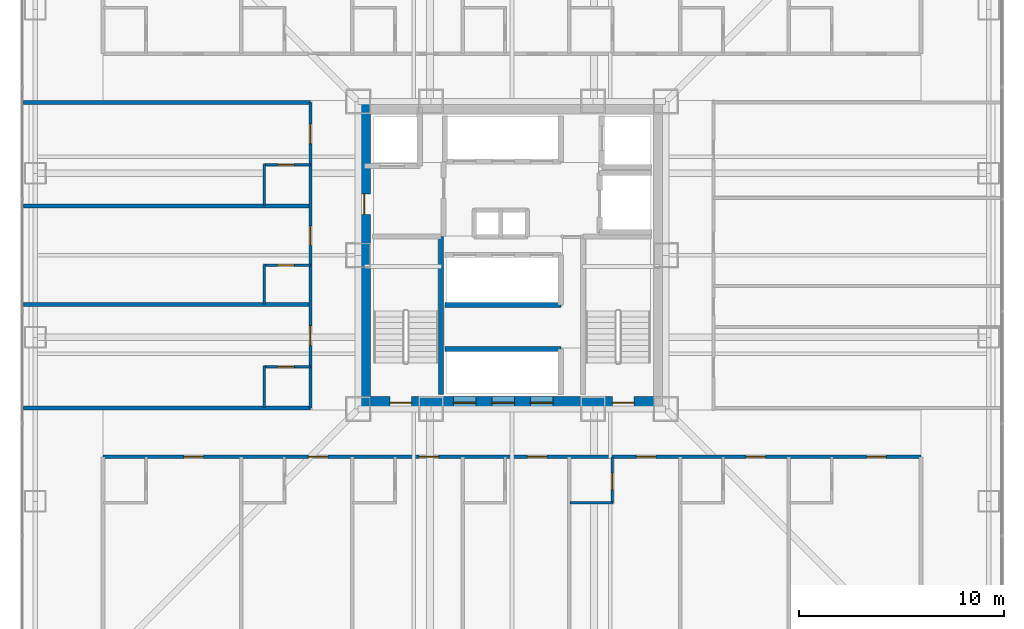
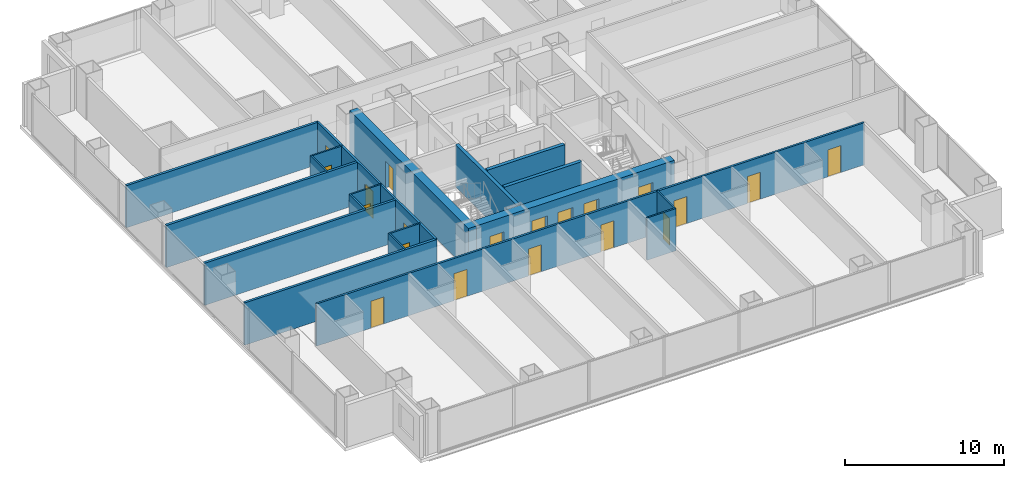
# One storey, part 11 of 17: 20 doors, 19 walls, 20 openings.
"""IFC4 building model written with IfcOpenShell, lengths in metres."""

from ifc_helpers import new_model, si_unit, direction, frame, frame_2d, origin, place, context, subcontext, project, spatial, rectangle, extrude, material, layer, layer_set, type_object, element, fill, save


model = new_model("IFC4")

# Units and contexts
model_context = context("Model", 3, precision=1e-05, world=origin(), true_north=direction((0.0, 1.0)))
body_context = subcontext(model_context, "Body", "Model", "MODEL_VIEW")
ifc_project = project(units=[si_unit("LENGTHUNIT", "METRE"), si_unit("AREAUNIT", "SQUARE_METRE"), si_unit("VOLUMEUNIT", "CUBIC_METRE"), si_unit("PLANEANGLEUNIT", "RADIAN"), si_unit("MASSUNIT", "GRAM", prefix="KILO")], contexts=[model_context])

# Site, building, storey
site_placement = place(None, origin())
site = spatial("IfcSite", under=ifc_project, at=site_placement, CompositionType="ELEMENT")
building_placement = place(site_placement, origin())
building = spatial("IfcBuilding", under=site, at=building_placement, Name="Trevonay Congress Spire", CompositionType="ELEMENT")
storey_placement = place(building_placement, frame((0.0, 0.0, 30.5)))
storey = spatial("IfcBuildingStorey", under=building, at=storey_placement, Name="L06", CompositionType="ELEMENT", Elevation=30.5)

# Wall, opening, door
ifc_material_1 = material(Name="Concrete C40/50", Category="concrete")
ifc_layer_1 = layer(ifc_material_1, 0.1201171875, Name="Concrete C40/50")
ifc_layer_set_1 = layer_set([ifc_layer_1], Name="Concrete C40/50")
wall_type_1 = type_object("IfcWallType", Name="WAL-BATH-120", PredefinedType="PLUMBINGWALL", material=ifc_layer_set_1)
wall_1_placement = place(storey_placement, frame((4.89990234375, -12.080078125, 0.0), z_axis=(0.0, 0.0, 1.0), x_axis=(0.0, 1.0, 0.0)))
wall_1 = element("IfcWall", 1, at=wall_1_placement, inside=storey, type_object=wall_type_1, Name="L06 interior wall WH-L06S-BS5", PredefinedType="PLUMBINGWALL", context=body_context, shape_type="SweptSolid", body=[
    extrude(rectangle(XDim=2.25, YDim=0.1201171875, at=frame_2d((1.125, 0.0))), origin(), (0.0, 0.0, 1.0), 3.25),
])
opening_1_placement = place(wall_1_placement, frame((0.64990234375, 0.0, 0.0)))
opening_1 = element("IfcOpeningElement", 2, at=opening_1_placement, cuts=wall_1, Name="Opening D11", PredefinedType="OPENING", context=body_context, shape_type="SweptSolid", body=[
    extrude(rectangle(XDim=0.800048828125, YDim=2.050048828125, at=frame_2d((0.39990234375, 1.02490234375))), frame((0.0, 0.070068359375, 0.0), z_axis=(0.0, -1.0, 0.0), x_axis=(1.0, 0.0, 0.0)), (0.0, 0.0, 1.0), 0.14013671875),
])
ifc_material_2 = material(Name="Pale Anodised Aluminium EN AW-6063-T6", Category="aluminium")
door_type_1 = type_object("IfcDoorType", Name="DOR-BATH-80", OperationType="NOTDEFINED", PredefinedType="DOOR", material=ifc_material_2)
door_1_placement = place(opening_1_placement, origin())
door_1 = element("IfcDoor", 3, at=door_1_placement, inside=storey, type_object=door_type_1, Name="L06 En-suite Bathroom Door", OperationType="SINGLE_SWING_LEFT", OverallHeight=2.050048828125, OverallWidth=0.800048828125, PredefinedType="DOOR", context=body_context, shape_type="SweptSolid", body=[
    extrude(rectangle(XDim=0.800048828125, YDim=2.050048828125, at=frame_2d((0.39990234375, 1.02490234375))), frame((0.0, 0.02490234375, 0.0), z_axis=(0.0, -1.0, 0.0), x_axis=(1.0, 0.0, 0.0)), (0.0, 0.0, 1.0), 0.050048828125),
])
fill(opening_1, door_1)

# Wall
wall_2_placement = place(storey_placement, frame((2.830078125, -12.080078125, 0.0), z_axis=(0.0, 0.0, 1.0), x_axis=(1.0, 0.0, 0.0)))
element("IfcWall", 4, at=wall_2_placement, inside=storey, type_object=wall_type_1, Name="L06 interior wall WH-L06S-BF5", PredefinedType="PLUMBINGWALL", context=body_context, shape_type="SweptSolid", body=[
    extrude(rectangle(XDim=2.099853515625, YDim=0.1201171875, at=frame_2d((1.0498046875, 0.0))), origin(), (0.0, 0.0, 1.0), 3.25),
])

# Wall, opening, door
wall_3_placement = place(storey_placement, frame((-12.080078125, -5.44189453125, 0.0), z_axis=(0.0, 0.0, 1.0), x_axis=(1.0, 0.0, 0.0)))
wall_3 = element("IfcWall", 5, at=wall_3_placement, inside=storey, type_object=wall_type_1, Name="L06 interior wall WH-L06W-BS1", PredefinedType="PLUMBINGWALL", context=body_context, shape_type="SweptSolid", body=[
    extrude(rectangle(XDim=2.25, YDim=0.1201171875, at=frame_2d((1.125, 0.0))), origin(), (0.0, 0.0, 1.0), 3.25),
])
opening_2_placement = place(wall_3_placement, frame((0.64990234375, 0.0, 0.0)))
opening_2 = element("IfcOpeningElement", 6, at=opening_2_placement, cuts=wall_3, Name="Opening D11", PredefinedType="OPENING", context=body_context, shape_type="SweptSolid", body=[
    extrude(rectangle(XDim=0.800048828125, YDim=2.050048828125, at=frame_2d((0.39990234375, 1.02490234375))), frame((0.0, 0.070068359375, 0.0), z_axis=(0.0, -1.0, 0.0), x_axis=(1.0, 0.0, 0.0)), (0.0, 0.0, 1.0), 0.14013671875),
])
door_2_placement = place(opening_2_placement, origin())
door_2 = element("IfcDoor", 7, at=door_2_placement, inside=storey, type_object=door_type_1, Name="L06 En-suite Bathroom Door", OperationType="SINGLE_SWING_LEFT", OverallHeight=2.050048828125, OverallWidth=0.800048828125, PredefinedType="DOOR", context=body_context, shape_type="SweptSolid", body=[
    extrude(rectangle(XDim=0.800048828125, YDim=2.050048828125, at=frame_2d((0.39990234375, 1.02490234375))), frame((0.0, 0.02490234375, 0.0), z_axis=(0.0, -1.0, 0.0), x_axis=(1.0, 0.0, 0.0)), (0.0, 0.0, 1.0), 0.050048828125),
])
fill(opening_2, door_2)

# Wall
wall_4_placement = place(storey_placement, frame((-12.080078125, -7.419921875, 0.0), z_axis=(0.0, 0.0, 1.0), x_axis=(0.0, 1.0, 0.0)))
element("IfcWall", 8, at=wall_4_placement, inside=storey, type_object=wall_type_1, Name="L06 interior wall WH-L06W-BF1", PredefinedType="PLUMBINGWALL", context=body_context, shape_type="SweptSolid", body=[
    extrude(rectangle(XDim=2.0078125, YDim=0.1201171875, at=frame_2d((1.00390625, 0.0))), origin(), (0.0, 0.0, 1.0), 3.25),
])

# Wall, opening, door
wall_5_placement = place(storey_placement, frame((-12.080078125, -0.487060546875, 0.0), z_axis=(0.0, 0.0, 1.0), x_axis=(1.0, 0.0, 0.0)))
wall_5 = element("IfcWall", 9, at=wall_5_placement, inside=storey, type_object=wall_type_1, Name="L06 interior wall WH-L06W-BS2", PredefinedType="PLUMBINGWALL", context=body_context, shape_type="SweptSolid", body=[
    extrude(rectangle(XDim=2.25, YDim=0.1201171875, at=frame_2d((1.125, 0.0))), origin(), (0.0, 0.0, 1.0), 3.25),
])
opening_3_placement = place(wall_5_placement, frame((0.64990234375, 0.0, 0.0)))
opening_3 = element("IfcOpeningElement", 10, at=opening_3_placement, cuts=wall_5, Name="Opening D11", PredefinedType="OPENING", context=body_context, shape_type="SweptSolid", body=[
    extrude(rectangle(XDim=0.800048828125, YDim=2.050048828125, at=frame_2d((0.39990234375, 1.02490234375))), frame((0.0, 0.070068359375, 0.0), z_axis=(0.0, -1.0, 0.0), x_axis=(1.0, 0.0, 0.0)), (0.0, 0.0, 1.0), 0.14013671875),
])
door_3_placement = place(opening_3_placement, origin())
door_3 = element("IfcDoor", 11, at=door_3_placement, inside=storey, type_object=door_type_1, Name="L06 En-suite Bathroom Door", OperationType="SINGLE_SWING_RIGHT", OverallHeight=2.050048828125, OverallWidth=0.800048828125, PredefinedType="DOOR", context=body_context, shape_type="SweptSolid", body=[
    extrude(rectangle(XDim=0.800048828125, YDim=2.050048828125, at=frame_2d((0.39990234375, 1.02490234375))), frame((0.0, 0.02490234375, 0.0), z_axis=(0.0, -1.0, 0.0), x_axis=(1.0, 0.0, 0.0)), (0.0, 0.0, 1.0), 0.050048828125),
])
fill(opening_3, door_3)

# Wall
wall_6_placement = place(storey_placement, frame((-12.080078125, -2.3701171875, 0.0), z_axis=(0.0, 0.0, 1.0), x_axis=(0.0, 1.0, 0.0)))
element("IfcWall", 12, at=wall_6_placement, inside=storey, type_object=wall_type_1, Name="L06 interior wall WH-L06W-BF2", PredefinedType="PLUMBINGWALL", context=body_context, shape_type="SweptSolid", body=[
    extrude(rectangle(XDim=1.9130859375, YDim=0.1201171875, at=frame_2d((0.95654296875, 0.0))), origin(), (0.0, 0.0, 1.0), 3.25),
])

# Wall, opening, door
wall_7_placement = place(storey_placement, frame((-12.080078125, 4.407958984375, 0.0), z_axis=(0.0, 0.0, 1.0), x_axis=(1.0, 0.0, 0.0)))
wall_7 = element("IfcWall", 13, at=wall_7_placement, inside=storey, type_object=wall_type_1, Name="L06 interior wall WH-L06W-BS3", PredefinedType="PLUMBINGWALL", context=body_context, shape_type="SweptSolid", body=[
    extrude(rectangle(XDim=2.25, YDim=0.1201171875, at=frame_2d((1.125, 0.0))), origin(), (0.0, 0.0, 1.0), 3.25),
])
opening_4_placement = place(wall_7_placement, frame((0.64990234375, 0.0, 0.0)))
opening_4 = element("IfcOpeningElement", 14, at=opening_4_placement, cuts=wall_7, Name="Opening D11", PredefinedType="OPENING", context=body_context, shape_type="SweptSolid", body=[
    extrude(rectangle(XDim=0.800048828125, YDim=2.050048828125, at=frame_2d((0.39990234375, 1.02490234375))), frame((0.0, 0.070068359375, 0.0), z_axis=(0.0, -1.0, 0.0), x_axis=(1.0, 0.0, 0.0)), (0.0, 0.0, 1.0), 0.14013671875),
])
door_4_placement = place(opening_4_placement, origin())
door_4 = element("IfcDoor", 15, at=door_4_placement, inside=storey, type_object=door_type_1, Name="L06 En-suite Bathroom Door", OperationType="SINGLE_SWING_LEFT", OverallHeight=2.050048828125, OverallWidth=0.800048828125, PredefinedType="DOOR", context=body_context, shape_type="SweptSolid", body=[
    extrude(rectangle(XDim=0.800048828125, YDim=2.050048828125, at=frame_2d((0.39990234375, 1.02490234375))), frame((0.0, 0.02490234375, 0.0), z_axis=(0.0, -1.0, 0.0), x_axis=(1.0, 0.0, 0.0)), (0.0, 0.0, 1.0), 0.050048828125),
])
fill(opening_4, door_4)

# Wall
wall_8_placement = place(storey_placement, frame((-12.080078125, 2.429931640625, 0.0), z_axis=(0.0, 0.0, 1.0), x_axis=(0.0, 1.0, 0.0)))
element("IfcWall", 16, at=wall_8_placement, inside=storey, type_object=wall_type_1, Name="L06 interior wall WH-L06W-BF3", PredefinedType="PLUMBINGWALL", context=body_context, shape_type="SweptSolid", body=[
    extrude(rectangle(XDim=2.008056640625, YDim=0.1201171875, at=frame_2d((1.00390625, 0.0))), origin(), (0.0, 0.0, 1.0), 3.25),
])

# Wall, openings, doors
ifc_material_3 = material(Name="Concrete C60/75", Category="concrete")
ifc_layer_2 = layer(ifc_material_3, 0.60009765625, Name="Concrete C60/75")
ifc_layer_set_2 = layer_set([ifc_layer_2], Name="Concrete C60/75")
wall_type_2 = type_object("IfcWallType", Name="WAL-CORE-600", PredefinedType="SHEAR", material=ifc_layer_set_2)
wall_9_placement = place(storey_placement, frame((-7.5, -7.199951171875, 0.0), z_axis=(0.0, 0.0, 1.0), x_axis=(1.0, 0.0, 0.0)))
wall_9 = element("IfcWall", 17, at=wall_9_placement, inside=storey, type_object=wall_type_2, Name="L06 South structural core shear wall", PredefinedType="SHEAR", context=body_context, shape_type="SweptSolid", body=[
    extrude(rectangle(XDim=15.0, YDim=0.60009765625, at=frame_2d((7.5, 0.0))), origin(), (0.0, 0.0, 1.0), 3.25),
])
opening_5_placement = place(wall_9_placement, frame((1.550048828125, 0.0, 0.0)))
opening_5 = element("IfcOpeningElement", 18, at=opening_5_placement, cuts=wall_9, Name="Opening D05", PredefinedType="OPENING", context=body_context, shape_type="SweptSolid", body=[
    extrude(rectangle(XDim=1.050048828125, YDim=2.080078125, at=frame_2d((0.52490234375, 1.0400390625))), frame((0.0, 0.31005859375, 0.0), z_axis=(0.0, -1.0, 0.0), x_axis=(1.0, 0.0, 0.0)), (0.0, 0.0, 1.0), 0.6201171875),
])
opening_6_placement = place(wall_9_placement, frame((12.39990234375, 0.0, 0.0)))
opening_6 = element("IfcOpeningElement", 19, at=opening_6_placement, cuts=wall_9, Name="Opening D05", PredefinedType="OPENING", context=body_context, shape_type="SweptSolid", body=[
    extrude(rectangle(XDim=1.050048828125, YDim=2.080078125, at=frame_2d((0.52490234375, 1.0400390625))), frame((0.0, 0.31005859375, 0.0), z_axis=(0.0, -1.0, 0.0), x_axis=(1.0, 0.0, 0.0)), (0.0, 0.0, 1.0), 0.6201171875),
])
opening_7_placement = place(wall_9_placement, frame((4.639892578125, 0.0, 0.0)))
opening_7 = element("IfcOpeningElement", 20, at=opening_7_placement, cuts=wall_9, Name="Opening LD01", PredefinedType="OPENING", context=body_context, shape_type="SweptSolid", body=[
    extrude(rectangle(XDim=1.10009765625, YDim=2.199951171875, at=frame_2d((0.550048828125, 1.10009765625))), frame((0.0, 0.31005859375, 0.0), z_axis=(0.0, -1.0, 0.0), x_axis=(1.0, 0.0, 0.0)), (0.0, 0.0, 1.0), 0.6201171875),
])
opening_8_placement = place(wall_9_placement, frame((6.52001953125, 0.0, 0.0)))
opening_8 = element("IfcOpeningElement", 21, at=opening_8_placement, cuts=wall_9, Name="Opening LD01", PredefinedType="OPENING", context=body_context, shape_type="SweptSolid", body=[
    extrude(rectangle(XDim=1.10009765625, YDim=2.199951171875, at=frame_2d((0.550048828125, 1.10009765625))), frame((0.0, 0.31005859375, 0.0), z_axis=(0.0, -1.0, 0.0), x_axis=(1.0, 0.0, 0.0)), (0.0, 0.0, 1.0), 0.6201171875),
])
opening_9_placement = place(wall_9_placement, frame((8.39990234375, 0.0, 0.0)))
opening_9 = element("IfcOpeningElement", 22, at=opening_9_placement, cuts=wall_9, Name="Opening LD01", PredefinedType="OPENING", context=body_context, shape_type="SweptSolid", body=[
    extrude(rectangle(XDim=1.10009765625, YDim=2.199951171875, at=frame_2d((0.550048828125, 1.10009765625))), frame((0.0, 0.31005859375, 0.0), z_axis=(0.0, -1.0, 0.0), x_axis=(1.0, 0.0, 0.0)), (0.0, 0.0, 1.0), 0.6201171875),
])
door_type_2 = type_object("IfcDoorType", Name="DOR-LIFT-LD01", OperationType="DOUBLE_DOOR_SLIDING", PredefinedType="DOOR", material=ifc_material_2)
door_5_placement = place(opening_7_placement, origin())
door_5 = element("IfcDoor", 23, at=door_5_placement, inside=storey, type_object=door_type_2, Name="L06 Passenger lift PL-01 landing door", OperationType="DOUBLE_DOOR_SLIDING", OverallHeight=2.199951171875, OverallWidth=1.10009765625, PredefinedType="DOOR", context=body_context, shape_type="SweptSolid", body=[
    extrude(rectangle(XDim=1.10009765625, YDim=2.199951171875, at=frame_2d((0.550048828125, 1.10009765625))), frame((0.0, 0.02490234375, 0.0), z_axis=(0.0, -1.0, 0.0), x_axis=(1.0, 0.0, 0.0)), (0.0, 0.0, 1.0), 0.050048828125),
])
fill(opening_7, door_5)
door_6_placement = place(opening_8_placement, origin())
door_6 = element("IfcDoor", 24, at=door_6_placement, inside=storey, type_object=door_type_2, Name="L06 Passenger lift PL-02 landing door", OperationType="DOUBLE_DOOR_SLIDING", OverallHeight=2.199951171875, OverallWidth=1.10009765625, PredefinedType="DOOR", context=body_context, shape_type="SweptSolid", body=[
    extrude(rectangle(XDim=1.10009765625, YDim=2.199951171875, at=frame_2d((0.550048828125, 1.10009765625))), frame((0.0, 0.02490234375, 0.0), z_axis=(0.0, -1.0, 0.0), x_axis=(1.0, 0.0, 0.0)), (0.0, 0.0, 1.0), 0.050048828125),
])
fill(opening_8, door_6)
door_7_placement = place(opening_9_placement, origin())
door_7 = element("IfcDoor", 25, at=door_7_placement, inside=storey, type_object=door_type_2, Name="L06 Passenger lift PL-03 landing door", OperationType="DOUBLE_DOOR_SLIDING", OverallHeight=2.199951171875, OverallWidth=1.10009765625, PredefinedType="DOOR", context=body_context, shape_type="SweptSolid", body=[
    extrude(rectangle(XDim=1.10009765625, YDim=2.199951171875, at=frame_2d((0.550048828125, 1.10009765625))), frame((0.0, 0.02490234375, 0.0), z_axis=(0.0, -1.0, 0.0), x_axis=(1.0, 0.0, 0.0)), (0.0, 0.0, 1.0), 0.050048828125),
])
fill(opening_9, door_7)
ifc_material_4 = material(Name="Steel ASTM A572 Grade 50", Category="steel")
door_type_3 = type_object("IfcDoorType", Name="DOR-STAIR-110", OperationType="NOTDEFINED", PredefinedType="DOOR", material=ifc_material_4)
door_8_placement = place(opening_5_placement, origin())
door_8 = element("IfcDoor", 26, at=door_8_placement, inside=storey, type_object=door_type_3, Name="L06 Protected Stair ST-1 Door", OperationType="SINGLE_SWING_RIGHT", OverallHeight=2.080078125, OverallWidth=1.050048828125, PredefinedType="DOOR", context=body_context, shape_type="SweptSolid", body=[
    extrude(rectangle(XDim=1.050048828125, YDim=2.080078125, at=frame_2d((0.52490234375, 1.0400390625))), frame((0.0, 0.02490234375, 0.0), z_axis=(0.0, -1.0, 0.0), x_axis=(1.0, 0.0, 0.0)), (0.0, 0.0, 1.0), 0.050048828125),
])
fill(opening_5, door_8)
door_9_placement = place(opening_6_placement, origin())
door_9 = element("IfcDoor", 27, at=door_9_placement, inside=storey, type_object=door_type_3, Name="L06 Protected Stair ST-2 Door", OperationType="SINGLE_SWING_LEFT", OverallHeight=2.080078125, OverallWidth=1.050048828125, PredefinedType="DOOR", context=body_context, shape_type="SweptSolid", body=[
    extrude(rectangle(XDim=1.050048828125, YDim=2.080078125, at=frame_2d((0.52490234375, 1.0400390625))), frame((0.0, 0.02490234375, 0.0), z_axis=(0.0, -1.0, 0.0), x_axis=(1.0, 0.0, 0.0)), (0.0, 0.0, 1.0), 0.050048828125),
])
fill(opening_6, door_9)

# Wall, opening, door
wall_10_placement = place(storey_placement, frame((-7.199951171875, -7.5, 0.0), z_axis=(0.0, 0.0, 1.0), x_axis=(0.0, 1.0, 0.0)))
wall_10 = element("IfcWall", 28, at=wall_10_placement, inside=storey, type_object=wall_type_2, Name="L06 West structural core shear wall", PredefinedType="SHEAR", context=body_context, shape_type="SweptSolid", body=[
    extrude(rectangle(XDim=15.0, YDim=0.60009765625, at=frame_2d((7.5, 0.0))), origin(), (0.0, 0.0, 1.0), 3.25),
])
opening_10_placement = place(wall_10_placement, frame((9.5, 0.0, 0.0)))
opening_10 = element("IfcOpeningElement", 29, at=opening_10_placement, cuts=wall_10, Name="Opening D06", PredefinedType="OPENING", context=body_context, shape_type="SweptSolid", body=[
    extrude(rectangle(XDim=1.0, YDim=2.080078125, at=frame_2d((0.5, 1.0400390625))), frame((0.0, 0.31005859375, 0.0), z_axis=(0.0, -1.0, 0.0), x_axis=(1.0, 0.0, 0.0)), (0.0, 0.0, 1.0), 0.6201171875),
])
door_type_4 = type_object("IfcDoorType", Name="DOR-FIRE-100", OperationType="NOTDEFINED", PredefinedType="DOOR", material=ifc_material_4)
door_10_placement = place(opening_10_placement, origin())
door_10 = element("IfcDoor", 30, at=door_10_placement, inside=storey, type_object=door_type_4, Name="L06 Firefighting Lift Lobby West Corridor Door", OperationType="SINGLE_SWING_RIGHT", OverallHeight=2.080078125, OverallWidth=1.0, PredefinedType="DOOR", context=body_context, shape_type="SweptSolid", body=[
    extrude(rectangle(XDim=1.0, YDim=2.080078125, at=frame_2d((0.5, 1.0400390625))), frame((0.0, 0.02490234375, 0.0), z_axis=(0.0, -1.0, 0.0), x_axis=(1.0, 0.0, 0.0)), (0.0, 0.0, 1.0), 0.050048828125),
])
fill(opening_10, door_10)

# Wall, openings, doors
ifc_layer_3 = layer(ifc_material_1, 0.14990234375, Name="Concrete C40/50")
ifc_layer_set_3 = layer_set([ifc_layer_3], Name="Concrete C40/50")
wall_type_3 = type_object("IfcWallType", Name="WAL-CORR-150", PredefinedType="PARTITIONING", material=ifc_layer_set_3)
wall_11_placement = place(storey_placement, frame((-19.949951171875, -9.830078125, 0.0), z_axis=(0.0, 0.0, 1.0), x_axis=(1.0, 0.0, 0.0)))
wall_11 = element("IfcWall", 31, at=wall_11_placement, inside=storey, type_object=wall_type_3, Name="L06 interior wall WH-L06S-COR", PredefinedType="PARTITIONING", context=body_context, shape_type="SweptSolid", body=[
    extrude(rectangle(XDim=39.89990234375, YDim=0.14990234375, at=frame_2d((19.949951171875, 0.0))), origin(), (0.0, 0.0, 1.0), 3.25),
])
opening_11_placement = place(wall_11_placement, frame((3.945068359375, 0.0, 0.0)))
opening_11 = element("IfcOpeningElement", 32, at=opening_11_placement, cuts=wall_11, Name="Opening D08", PredefinedType="OPENING", context=body_context, shape_type="SweptSolid", body=[
    extrude(rectangle(XDim=0.949951171875, YDim=2.080078125, at=frame_2d((0.47509765625, 1.0400390625))), frame((0.0, 0.0849609375, 0.0), z_axis=(0.0, -1.0, 0.0), x_axis=(1.0, 0.0, 0.0)), (0.0, 0.0, 1.0), 0.169921875),
])
opening_12_placement = place(wall_11_placement, frame((10.02001953125, 0.0, 0.0)))
opening_12 = element("IfcOpeningElement", 33, at=opening_12_placement, cuts=wall_11, Name="Opening D08", PredefinedType="OPENING", context=body_context, shape_type="SweptSolid", body=[
    extrude(rectangle(XDim=0.949951171875, YDim=2.080078125, at=frame_2d((0.47509765625, 1.0400390625))), frame((0.0, 0.0849609375, 0.0), z_axis=(0.0, -1.0, 0.0), x_axis=(1.0, 0.0, 0.0)), (0.0, 0.0, 1.0), 0.169921875),
])
opening_13_placement = place(wall_11_placement, frame((15.419921875, 0.0, 0.0)))
opening_13 = element("IfcOpeningElement", 34, at=opening_13_placement, cuts=wall_11, Name="Opening D08", PredefinedType="OPENING", context=body_context, shape_type="SweptSolid", body=[
    extrude(rectangle(XDim=0.949951171875, YDim=2.080078125, at=frame_2d((0.47509765625, 1.0400390625))), frame((0.0, 0.0849609375, 0.0), z_axis=(0.0, -1.0, 0.0), x_axis=(1.0, 0.0, 0.0)), (0.0, 0.0, 1.0), 0.169921875),
])
opening_14_placement = place(wall_11_placement, frame((20.702392578125, 0.0, 0.0)))
opening_14 = element("IfcOpeningElement", 35, at=opening_14_placement, cuts=wall_11, Name="Opening D08", PredefinedType="OPENING", context=body_context, shape_type="SweptSolid", body=[
    extrude(rectangle(XDim=0.949951171875, YDim=2.080078125, at=frame_2d((0.47509765625, 1.0400390625))), frame((0.0, 0.0849609375, 0.0), z_axis=(0.0, -1.0, 0.0), x_axis=(1.0, 0.0, 0.0)), (0.0, 0.0, 1.0), 0.169921875),
])
opening_15_placement = place(wall_11_placement, frame((26.02001953125, 0.0, 0.0)))
opening_15 = element("IfcOpeningElement", 36, at=opening_15_placement, cuts=wall_11, Name="Opening D08", PredefinedType="OPENING", context=body_context, shape_type="SweptSolid", body=[
    extrude(rectangle(XDim=0.949951171875, YDim=2.080078125, at=frame_2d((0.47509765625, 1.0400390625))), frame((0.0, 0.0849609375, 0.0), z_axis=(0.0, -1.0, 0.0), x_axis=(1.0, 0.0, 0.0)), (0.0, 0.0, 1.0), 0.169921875),
])
opening_16_placement = place(wall_11_placement, frame((31.3701171875, 0.0, 0.0)))
opening_16 = element("IfcOpeningElement", 37, at=opening_16_placement, cuts=wall_11, Name="Opening D08", PredefinedType="OPENING", context=body_context, shape_type="SweptSolid", body=[
    extrude(rectangle(XDim=0.949951171875, YDim=2.080078125, at=frame_2d((0.47509765625, 1.0400390625))), frame((0.0, 0.0849609375, 0.0), z_axis=(0.0, -1.0, 0.0), x_axis=(1.0, 0.0, 0.0)), (0.0, 0.0, 1.0), 0.169921875),
])
opening_17_placement = place(wall_11_placement, frame((37.2451171875, 0.0, 0.0)))
opening_17 = element("IfcOpeningElement", 38, at=opening_17_placement, cuts=wall_11, Name="Opening D08", PredefinedType="OPENING", context=body_context, shape_type="SweptSolid", body=[
    extrude(rectangle(XDim=0.949951171875, YDim=2.080078125, at=frame_2d((0.47509765625, 1.0400390625))), frame((0.0, 0.0849609375, 0.0), z_axis=(0.0, -1.0, 0.0), x_axis=(1.0, 0.0, 0.0)), (0.0, 0.0, 1.0), 0.169921875),
])
door_type_5 = type_object("IfcDoorType", Name="DOR-SUITE-95", OperationType="NOTDEFINED", PredefinedType="DOOR", material=ifc_material_2)
door_11_placement = place(opening_11_placement, origin())
door_11 = element("IfcDoor", 39, at=door_11_placement, inside=storey, type_object=door_type_5, Name="L06 Corner Hotel Suite Entrance Door", OperationType="SINGLE_SWING_RIGHT", OverallHeight=2.080078125, OverallWidth=0.949951171875, PredefinedType="DOOR", context=body_context, shape_type="SweptSolid", body=[
    extrude(rectangle(XDim=0.949951171875, YDim=2.080078125, at=frame_2d((0.47509765625, 1.0400390625))), frame((0.0, 0.02490234375, 0.0), z_axis=(0.0, -1.0, 0.0), x_axis=(1.0, 0.0, 0.0)), (0.0, 0.0, 1.0), 0.050048828125),
])
fill(opening_11, door_11)
door_12_placement = place(opening_12_placement, origin())
door_12 = element("IfcDoor", 40, at=door_12_placement, inside=storey, type_object=door_type_5, Name="L06 Hotel Guest Room Entrance Door", OperationType="SINGLE_SWING_LEFT", OverallHeight=2.080078125, OverallWidth=0.949951171875, PredefinedType="DOOR", context=body_context, shape_type="SweptSolid", body=[
    extrude(rectangle(XDim=0.949951171875, YDim=2.080078125, at=frame_2d((0.47509765625, 1.0400390625))), frame((0.0, 0.02490234375, 0.0), z_axis=(0.0, -1.0, 0.0), x_axis=(1.0, 0.0, 0.0)), (0.0, 0.0, 1.0), 0.050048828125),
])
fill(opening_12, door_12)
door_13_placement = place(opening_13_placement, origin())
door_13 = element("IfcDoor", 41, at=door_13_placement, inside=storey, type_object=door_type_5, Name="L06 Hotel Guest Room Entrance Door", OperationType="SINGLE_SWING_RIGHT", OverallHeight=2.080078125, OverallWidth=0.949951171875, PredefinedType="DOOR", context=body_context, shape_type="SweptSolid", body=[
    extrude(rectangle(XDim=0.949951171875, YDim=2.080078125, at=frame_2d((0.47509765625, 1.0400390625))), frame((0.0, 0.02490234375, 0.0), z_axis=(0.0, -1.0, 0.0), x_axis=(1.0, 0.0, 0.0)), (0.0, 0.0, 1.0), 0.050048828125),
])
fill(opening_13, door_13)
door_14_placement = place(opening_14_placement, origin())
door_14 = element("IfcDoor", 42, at=door_14_placement, inside=storey, type_object=door_type_5, Name="L06 Hotel Guest Room Entrance Door", OperationType="SINGLE_SWING_LEFT", OverallHeight=2.080078125, OverallWidth=0.949951171875, PredefinedType="DOOR", context=body_context, shape_type="SweptSolid", body=[
    extrude(rectangle(XDim=0.949951171875, YDim=2.080078125, at=frame_2d((0.47509765625, 1.0400390625))), frame((0.0, 0.02490234375, 0.0), z_axis=(0.0, -1.0, 0.0), x_axis=(1.0, 0.0, 0.0)), (0.0, 0.0, 1.0), 0.050048828125),
])
fill(opening_14, door_14)
door_15_placement = place(opening_15_placement, origin())
door_15 = element("IfcDoor", 43, at=door_15_placement, inside=storey, type_object=door_type_5, Name="L06 Hotel Guest Room Entrance Door", OperationType="SINGLE_SWING_RIGHT", OverallHeight=2.080078125, OverallWidth=0.949951171875, PredefinedType="DOOR", context=body_context, shape_type="SweptSolid", body=[
    extrude(rectangle(XDim=0.949951171875, YDim=2.080078125, at=frame_2d((0.47509765625, 1.0400390625))), frame((0.0, 0.02490234375, 0.0), z_axis=(0.0, -1.0, 0.0), x_axis=(1.0, 0.0, 0.0)), (0.0, 0.0, 1.0), 0.050048828125),
])
fill(opening_15, door_15)
door_16_placement = place(opening_16_placement, origin())
door_16 = element("IfcDoor", 44, at=door_16_placement, inside=storey, type_object=door_type_5, Name="L06 Hotel Guest Room Entrance Door", OperationType="SINGLE_SWING_LEFT", OverallHeight=2.080078125, OverallWidth=0.949951171875, PredefinedType="DOOR", context=body_context, shape_type="SweptSolid", body=[
    extrude(rectangle(XDim=0.949951171875, YDim=2.080078125, at=frame_2d((0.47509765625, 1.0400390625))), frame((0.0, 0.02490234375, 0.0), z_axis=(0.0, -1.0, 0.0), x_axis=(1.0, 0.0, 0.0)), (0.0, 0.0, 1.0), 0.050048828125),
])
fill(opening_16, door_16)
door_17_placement = place(opening_17_placement, origin())
door_17 = element("IfcDoor", 45, at=door_17_placement, inside=storey, type_object=door_type_5, Name="L06 Corner Hotel Suite Entrance Door", OperationType="SINGLE_SWING_RIGHT", OverallHeight=2.080078125, OverallWidth=0.949951171875, PredefinedType="DOOR", context=body_context, shape_type="SweptSolid", body=[
    extrude(rectangle(XDim=0.949951171875, YDim=2.080078125, at=frame_2d((0.47509765625, 1.0400390625))), frame((0.0, 0.02490234375, 0.0), z_axis=(0.0, -1.0, 0.0), x_axis=(1.0, 0.0, 0.0)), (0.0, 0.0, 1.0), 0.050048828125),
])
fill(opening_17, door_17)

wall_12_placement = place(storey_placement, frame((-9.830078125, -7.449951171875, 0.0), z_axis=(0.0, 0.0, 1.0), x_axis=(0.0, 1.0, 0.0)))
wall_12 = element("IfcWall", 46, at=wall_12_placement, inside=storey, type_object=wall_type_3, Name="L06 interior wall WH-L06W-COR", PredefinedType="PARTITIONING", context=body_context, shape_type="SweptSolid", body=[
    extrude(rectangle(XDim=14.89990234375, YDim=0.14990234375, at=frame_2d((7.449951171875, 0.0))), origin(), (0.0, 0.0, 1.0), 3.25),
])
opening_18_placement = place(wall_12_placement, frame((3.049072265625, 0.0, 0.0)))
opening_18 = element("IfcOpeningElement", 47, at=opening_18_placement, cuts=wall_12, Name="Opening D08", PredefinedType="OPENING", context=body_context, shape_type="SweptSolid", body=[
    extrude(rectangle(XDim=0.949951171875, YDim=2.080078125, at=frame_2d((0.47509765625, 1.0400390625))), frame((0.0, 0.0849609375, 0.0), z_axis=(0.0, -1.0, 0.0), x_axis=(1.0, 0.0, 0.0)), (0.0, 0.0, 1.0), 0.169921875),
])
opening_19_placement = place(wall_12_placement, frame((7.926513671875, 0.0, 0.0)))
opening_19 = element("IfcOpeningElement", 48, at=opening_19_placement, cuts=wall_12, Name="Opening D08", PredefinedType="OPENING", context=body_context, shape_type="SweptSolid", body=[
    extrude(rectangle(XDim=0.949951171875, YDim=2.080078125, at=frame_2d((0.47509765625, 1.0400390625))), frame((0.0, 0.0849609375, 0.0), z_axis=(0.0, -1.0, 0.0), x_axis=(1.0, 0.0, 0.0)), (0.0, 0.0, 1.0), 0.169921875),
])
opening_20_placement = place(wall_12_placement, frame((12.89892578125, 0.0, 0.0)))
opening_20 = element("IfcOpeningElement", 49, at=opening_20_placement, cuts=wall_12, Name="Opening D08", PredefinedType="OPENING", context=body_context, shape_type="SweptSolid", body=[
    extrude(rectangle(XDim=0.949951171875, YDim=2.080078125, at=frame_2d((0.47509765625, 1.0400390625))), frame((0.0, 0.0849609375, 0.0), z_axis=(0.0, -1.0, 0.0), x_axis=(1.0, 0.0, 0.0)), (0.0, 0.0, 1.0), 0.169921875),
])
door_18_placement = place(opening_18_placement, origin())
door_18 = element("IfcDoor", 50, at=door_18_placement, inside=storey, type_object=door_type_5, Name="L06 Hotel Guest Room Entrance Door", OperationType="SINGLE_SWING_RIGHT", OverallHeight=2.080078125, OverallWidth=0.949951171875, PredefinedType="DOOR", context=body_context, shape_type="SweptSolid", body=[
    extrude(rectangle(XDim=0.949951171875, YDim=2.080078125, at=frame_2d((0.47509765625, 1.0400390625))), frame((0.0, 0.02490234375, 0.0), z_axis=(0.0, -1.0, 0.0), x_axis=(1.0, 0.0, 0.0)), (0.0, 0.0, 1.0), 0.050048828125),
])
fill(opening_18, door_18)
door_19_placement = place(opening_19_placement, origin())
door_19 = element("IfcDoor", 51, at=door_19_placement, inside=storey, type_object=door_type_5, Name="L06 Corner Hotel Suite Entrance Door", OperationType="SINGLE_SWING_LEFT", OverallHeight=2.080078125, OverallWidth=0.949951171875, PredefinedType="DOOR", context=body_context, shape_type="SweptSolid", body=[
    extrude(rectangle(XDim=0.949951171875, YDim=2.080078125, at=frame_2d((0.47509765625, 1.0400390625))), frame((0.0, 0.02490234375, 0.0), z_axis=(0.0, -1.0, 0.0), x_axis=(1.0, 0.0, 0.0)), (0.0, 0.0, 1.0), 0.050048828125),
])
fill(opening_19, door_19)
door_20_placement = place(opening_20_placement, origin())
door_20 = element("IfcDoor", 52, at=door_20_placement, inside=storey, type_object=door_type_5, Name="L06 Hotel Guest Room Entrance Door", OperationType="SINGLE_SWING_RIGHT", OverallHeight=2.080078125, OverallWidth=0.949951171875, PredefinedType="DOOR", context=body_context, shape_type="SweptSolid", body=[
    extrude(rectangle(XDim=0.949951171875, YDim=2.080078125, at=frame_2d((0.47509765625, 1.0400390625))), frame((0.0, 0.02490234375, 0.0), z_axis=(0.0, -1.0, 0.0), x_axis=(1.0, 0.0, 0.0)), (0.0, 0.0, 1.0), 0.050048828125),
])
fill(opening_20, door_20)

# Walls
ifc_layer_4 = layer(ifc_material_1, 0.179931640625, Name="Concrete C40/50")
ifc_layer_set_4 = layer_set([ifc_layer_4], Name="Concrete C40/50")
wall_type_4 = type_object("IfcWallType", Name="WAL-HOTEL-180", PredefinedType="PARTITIONING", material=ifc_layer_set_4)
for number, where, z_axis, x_axis, name in (
    (53, (-23.820068359375, -7.449951171875, 0.0), (0.0, 0.0, 1.0), (1.0, 0.0, 0.0), "L06 interior wall WH-L06W-DIV1"),
    (54, (-23.820068359375, -2.39990234375, 0.0), (0.0, 0.0, 1.0), (1.0, 0.0, 0.0), "L06 interior wall WH-L06W-DIV2"),
    (55, (-23.820068359375, 2.39990234375, 0.0), (0.0, 0.0, 1.0), (1.0, 0.0, 0.0), "L06 interior wall WH-L06W-DIV3"),
    (56, (-23.820068359375, 7.449951171875, 0.0), (0.0, 0.0, 1.0), (1.0, 0.0, 0.0), "L06 interior wall WH-L06W-DIV4"),
):
    element("IfcWall", number, at=place(storey_placement, frame(where, z_axis=z_axis, x_axis=x_axis)), inside=storey, type_object=wall_type_4, Name=name, PredefinedType="PARTITIONING", context=body_context, shape_type="SweptSolid", body=[
        extrude(rectangle(XDim=13.989990234375, YDim=0.179931640625, at=frame_2d((6.9951171875, 0.0))), origin(), (0.0, 0.0, 1.0), 3.25),
    ])
ifc_layer_5 = layer(ifc_material_1, 0.25, Name="Concrete C40/50")
ifc_layer_set_5 = layer_set([ifc_layer_5], Name="Concrete C40/50")
wall_type_5 = type_object("IfcWallType", Name="WAL-SHAFT-250", PredefinedType="SHEAR", material=ifc_layer_set_5)
for number, where, z_axis, x_axis, name in (
    (57, (-3.260009765625, -4.580078125, 0.0), (0.0, 0.0, 1.0), (1.0, 0.0, 0.0), "L06 interior shaft wall WSH-L06-B1-N"),
    (58, (-3.260009765625, -2.419921875, 0.0), (0.0, 0.0, 1.0), (1.0, 0.0, 0.0), "L06 interior shaft wall WSH-L06-B2-S"),
):
    element("IfcWall", number, at=place(storey_placement, frame(where, z_axis=z_axis, x_axis=x_axis)), inside=storey, type_object=wall_type_5, Name=name, PredefinedType="SHEAR", context=body_context, shape_type="SweptSolid", body=[
        extrude(rectangle(XDim=5.639892578125, YDim=0.25, at=frame_2d((2.81982421875, 0.0))), origin(), (0.0, 0.0, 1.0), 3.25),
    ])
ifc_layer_6 = layer(ifc_material_1, 0.25, Name="Concrete C40/50")
ifc_layer_set_6 = layer_set([ifc_layer_6], Name="Concrete C40/50")
wall_type_6 = type_object("IfcWallType", Name="WAL-SHAFT-LB-250", PredefinedType="SHEAR", material=ifc_layer_set_6)
wall_13_placement = place(storey_placement, frame((-3.469970703125, -6.800048828125, 0.0), z_axis=(0.0, 0.0, 1.0), x_axis=(0.0, 1.0, 0.0)))
element("IfcWall", 59, at=wall_13_placement, inside=storey, type_object=wall_type_6, Name="L06 interior shaft wall WSH-L06-ST1-E", PredefinedType="SHEAR", context=body_context, shape_type="SweptSolid", body=[
    extrude(rectangle(XDim=7.719970703125, YDim=0.25, at=frame_2d((3.85986328125, 0.0))), origin(), (0.0, 0.0, 1.0), 3.25),
])

save(model, "model.ifc")
